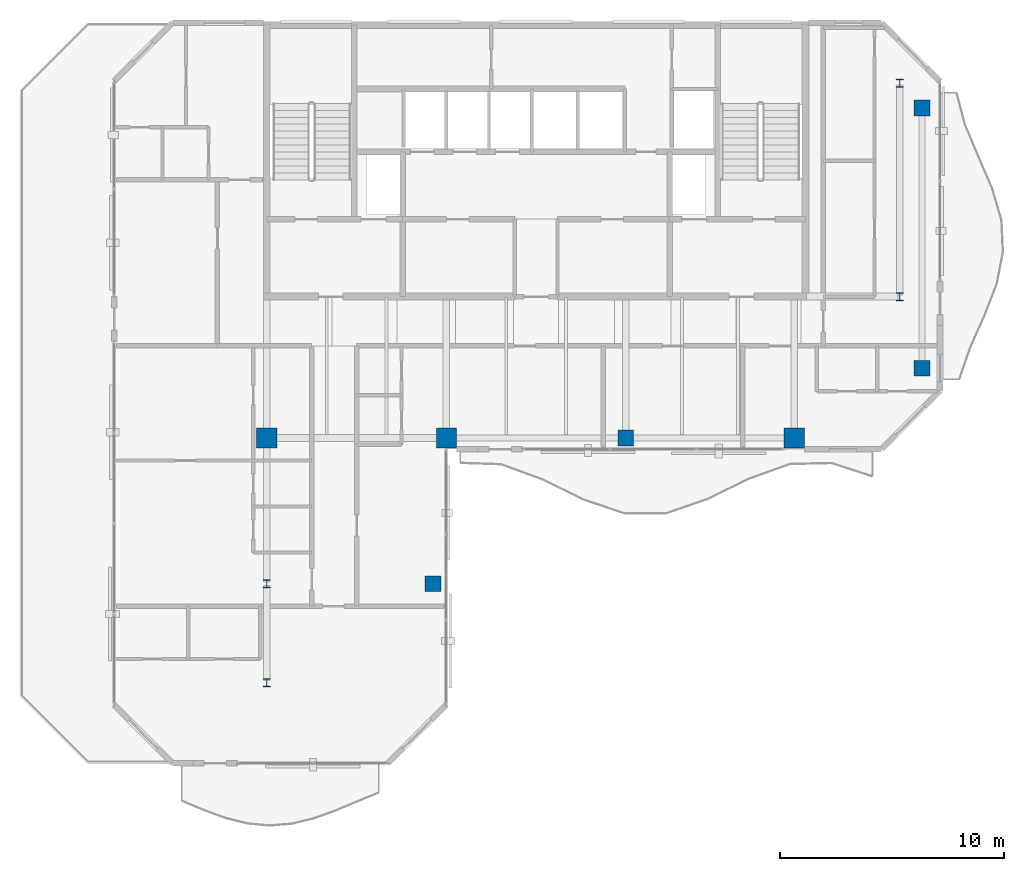
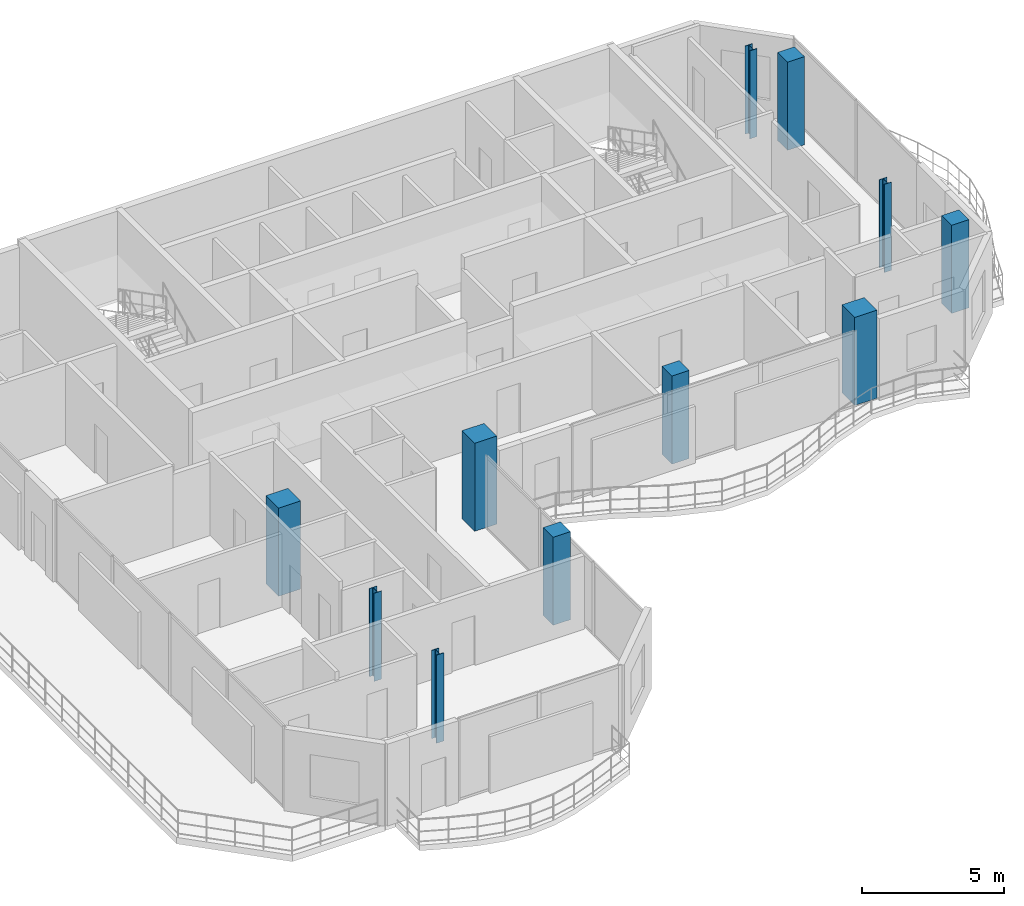
# One storey, part 1 of 18: 11 columns.
"""IFC4 building model written with IfcOpenShell, lengths in metres."""

from ifc_helpers import new_model, si_unit, direction, frame, origin, origin_2d, place, context, subcontext, project, spatial, rectangle, i_section, extrude, material, material_profile, profile_set, type_object, element, save


model = new_model("IFC4")

# Units and contexts
model_context = context("Model", 3, precision=1e-05, world=origin(), true_north=direction((0.0, 1.0)))
body_context = subcontext(model_context, "Body", "Model", "MODEL_VIEW")
ifc_project = project(units=[si_unit("LENGTHUNIT", "METRE"), si_unit("AREAUNIT", "SQUARE_METRE"), si_unit("VOLUMEUNIT", "CUBIC_METRE"), si_unit("PLANEANGLEUNIT", "RADIAN"), si_unit("MASSUNIT", "GRAM", prefix="KILO")], contexts=[model_context])

# Site, building, storey
site_placement = place(None, origin())
site = spatial("IfcSite", under=ifc_project, at=site_placement, CompositionType="ELEMENT")
building_placement = place(site_placement, origin())
building = spatial("IfcBuilding", under=site, at=building_placement, Name="Catumbela Crestline Tower", CompositionType="ELEMENT")
storey_placement = place(building_placement, frame((0.0, 0.0, 264.0)))
storey = spatial("IfcBuildingStorey", under=building, at=storey_placement, Name="L68", CompositionType="ELEMENT", Elevation=264.0)

# Columns
ifc_material_1 = material(Name="Concrete C45/55", Category="concrete")
ifc_material_profile_1 = material_profile(ifc_material_1, rectangle(XDim=0.7, YDim=0.7, at=origin_2d()), Name="RC 700x700")
ifc_profile_set_1 = profile_set([ifc_material_profile_1], Name="Concrete C45/55")
column_type_1 = type_object("IfcColumnType", Name="C-RC700-C45", PredefinedType="COLUMN", material=ifc_profile_set_1)
for number, where, z_axis, x_axis, name in (
    (1, (32.0, 24.5, 0.0), (0.0, 0.0, 1.0), (1.0, 0.0, 0.0), "L68 Column C-32-24 (RC 700x700)"),
    (2, (45.2, 27.6, 0.0), (0.0, 0.0, 1.0), (1.0, 0.0, 0.0), "L68 Column C-46-24 (RC 700x700)"),
    (3, (45.2, 39.2, 0.0), (0.0, 0.0, 1.0), (1.0, 0.0, 0.0), "L68 Column C-46-43 (RC 700x700)"),
    (4, (23.4, 18.0, 0.0), (0.0, 0.0, 1.0), (1.0, 0.0, 0.0), "L68 Column C-24-16 (RC 700x700)"),
):
    element("IfcColumn", number, at=place(storey_placement, frame(where, z_axis=z_axis, x_axis=x_axis)), inside=storey, type_object=column_type_1, Name=name, PredefinedType="COLUMN", context=body_context, shape_type="SweptSolid", body=[
        extrude(rectangle(XDim=0.7, YDim=0.7, at=origin_2d()), origin(), (0.0, 0.0, 1.0), 3.8),
    ])
ifc_material_profile_2 = material_profile(ifc_material_1, rectangle(XDim=0.9, YDim=0.9, at=origin_2d()), Name="RC 900x900")
ifc_profile_set_2 = profile_set([ifc_material_profile_2], Name="Concrete C45/55")
column_type_2 = type_object("IfcColumnType", Name="C-RC900-C45", PredefinedType="COLUMN", material=ifc_profile_set_2)
for number, where, z_axis, x_axis, name in (
    (5, (16.0, 24.5, 0.0), (0.0, 0.0, 1.0), (1.0, 0.0, 0.0), "L68 Column C-16-24 (RC 900x900)"),
    (6, (24.0, 24.5, 0.0), (0.0, 0.0, 1.0), (1.0, 0.0, 0.0), "L68 Column C-24-24 (RC 900x900)"),
    (7, (39.5, 24.5, 0.0), (0.0, 0.0, 1.0), (1.0, 0.0, 0.0), "L68 Column C-40-24 (RC 900x900)"),
):
    element("IfcColumn", number, at=place(storey_placement, frame(where, z_axis=z_axis, x_axis=x_axis)), inside=storey, type_object=column_type_2, Name=name, PredefinedType="COLUMN", context=body_context, shape_type="SweptSolid", body=[
        extrude(rectangle(XDim=0.9, YDim=0.9, at=origin_2d()), origin(), (0.0, 0.0, 1.0), 3.8),
    ])
ifc_material_2 = material(Name="Structural steel S355J2", Category="steel")
ifc_material_profile_3 = material_profile(ifc_material_2, i_section(OverallWidth=0.3, OverallDepth=0.36, WebThickness=0.0125, FlangeThickness=0.0225, FilletRadius=0.027, at=origin_2d()), Name="HEB 360")
ifc_profile_set_3 = profile_set([ifc_material_profile_3], Name="Structural steel S355J2")
column_type_3 = type_object("IfcColumnType", Name="C-ST-HEB360", PredefinedType="COLUMN", material=ifc_profile_set_3)
for number, where, z_axis, x_axis, name in (
    (8, (16.0, 13.6, 0.0), (0.0, 0.0, 1.0), (1.0, 0.0, 0.0), "L68 Column CT-14-10 (HEB 360)"),
    (9, (16.0, 18.0, 0.0), (0.0, 0.0, 1.0), (1.0, 0.0, 0.0), "L68 Column CT-14-16 (HEB 360)"),
    (10, (44.2, 30.8, 0.0), (0.0, 0.0, 1.0), (1.0, 0.0, 0.0), "L68 Column CT-46-31 (HEB 360)"),
    (11, (44.2, 40.3, 0.0), (0.0, 0.0, 1.0), (1.0, 0.0, 0.0), "L68 Column CT-46-37 (HEB 360)"),
):
    element("IfcColumn", number, at=place(storey_placement, frame(where, z_axis=z_axis, x_axis=x_axis)), inside=storey, type_object=column_type_3, Name=name, PredefinedType="COLUMN", context=body_context, shape_type="SweptSolid", body=[
        extrude(i_section(OverallWidth=0.3, OverallDepth=0.36, WebThickness=0.0125, FlangeThickness=0.0225, FilletRadius=0.027, at=origin_2d()), origin(), (0.0, 0.0, 1.0), 3.8),
    ])

save(model, "model.ifc")
